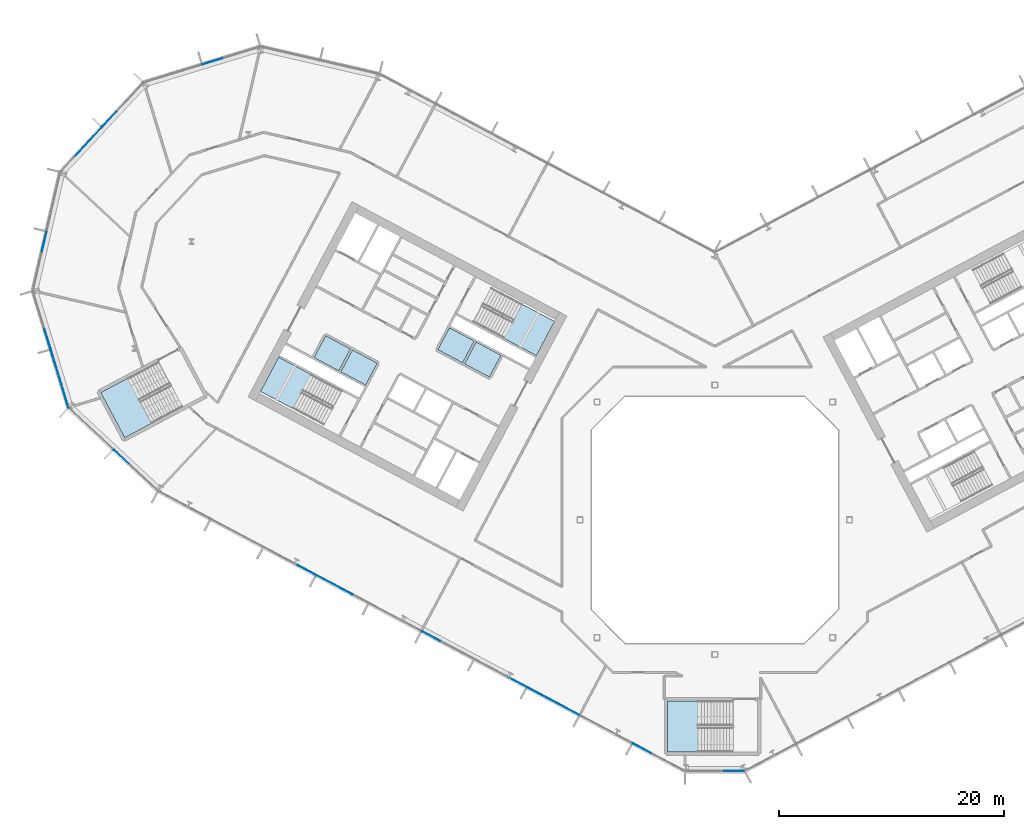
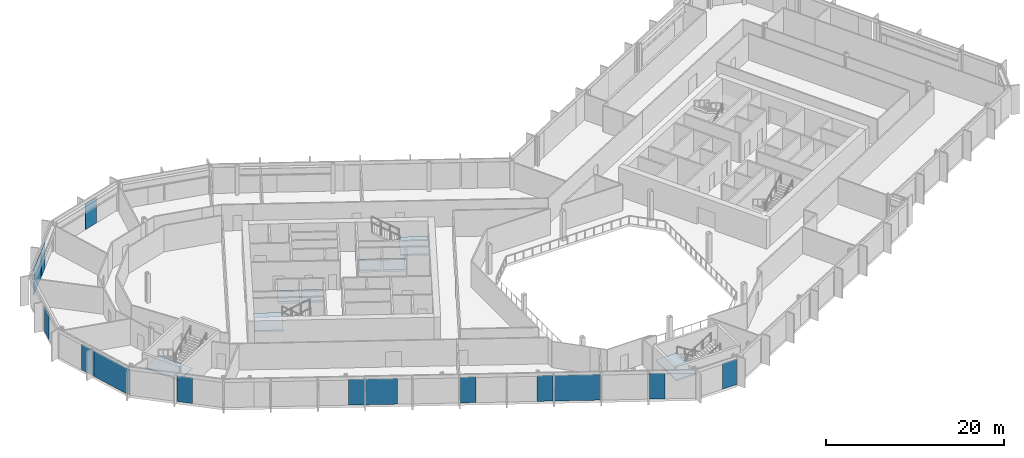
# One storey, part 11 of 28: 14 plates, 8 slabs, 11 elements without a shape of their own.
"""IFC4 building model written with IfcOpenShell, lengths in metres."""

from ifc_helpers import new_model, si_unit, direction, frame, origin, origin_2d, place, context, subcontext, project, spatial, polyline, rectangle, outline, extrude, material, layer, layer_set, type_object, element, aggregate, save


model = new_model("IFC4")

# Units and contexts
model_context = context("Model", 3, precision=1e-05, world=origin(), true_north=direction((0.0, 1.0)))
body_context = subcontext(model_context, "Body", "Model", "MODEL_VIEW")
ifc_project = project(units=[si_unit("LENGTHUNIT", "METRE"), si_unit("AREAUNIT", "SQUARE_METRE"), si_unit("VOLUMEUNIT", "CUBIC_METRE"), si_unit("PLANEANGLEUNIT", "RADIAN"), si_unit("MASSUNIT", "GRAM", prefix="KILO")], contexts=[model_context])

# Site, building, storey
site_placement = place(None, origin())
site = spatial("IfcSite", under=ifc_project, at=site_placement, CompositionType="ELEMENT")
building_placement = place(site_placement, origin())
building = spatial("IfcBuilding", under=site, at=building_placement, Name="Cormorant Relay Tower", CompositionType="ELEMENT")
storey_placement = place(building_placement, frame((0.0, 0.0, 174.199951171875)))
storey = spatial("IfcBuildingStorey", under=building, at=storey_placement, Name="L37", CompositionType="ELEMENT", Elevation=174.199951171875)

# Curtain wall, plate
ifc_material_1 = material(Name="Aluminium 6063-T6 anodised bronze", Category="aluminium")
ifc_layer_1 = layer(ifc_material_1, 0.199951171875)
ifc_layer_set_1 = layer_set([ifc_layer_1], Name="CW1 unitised bronze curtain wall with vertical fins")
curtain_wall_type = type_object("IfcCurtainWallType", Name="CW1 unitised bronze curtain wall with vertical fins", PredefinedType="NOTDEFINED", material=ifc_layer_set_1)
curtain_wall_1_placement = place(storey_placement, origin())
curtain_wall_1 = element("IfcCurtainWall", 1, at=curtain_wall_1_placement, inside=storey, type_object=curtain_wall_type, Name="CW1 curtain wall 1", PredefinedType="NOTDEFINED")
ifc_material_2 = material(Name="Tinted laminated glass", Category="glass")
ifc_layer_2 = layer(ifc_material_2, 0.0400390625)
ifc_layer_set_2 = layer_set([ifc_layer_2], Name="CW1 tinted vision panel 1800 module")
plate_type_1 = type_object("IfcPlateType", Name="CW1 tinted vision panel 1800 module", PredefinedType="CURTAIN_PANEL", material=ifc_layer_set_2)
plate_1_placement = place(storey_placement, frame((1.748779296875, -22.3955078125, 0.0), z_axis=(0.0, 0.0, 1.0), x_axis=(1.0, 0.0, 0.0)))
plate_1 = element("IfcPlate", 2, at=plate_1_placement, type_object=plate_type_1, Name="CW1 panel V01", PredefinedType="CURTAIN_PANEL", context=body_context, shape_type="SweptSolid", body=[
    extrude(rectangle(XDim=1.800048828125, YDim=0.0400390625, at=origin_2d()), origin(), (0.0, 0.0, 1.0), 3.550048828125),
])
aggregate(curtain_wall_1, [plate_1])

curtain_wall_2_placement = place(storey_placement, origin())
curtain_wall_2 = element("IfcCurtainWall", 3, at=curtain_wall_2_placement, inside=storey, type_object=curtain_wall_type, Name="CW1 curtain wall 11", PredefinedType="NOTDEFINED")
plate_2_placement = place(storey_placement, frame((-44.73681640625, 40.82861328125, 0.0), z_axis=(0.0, 0.0, 1.0), x_axis=(-0.956304755963, -0.292371704723, 0.0)))
plate_2 = element("IfcPlate", 4, at=plate_2_placement, type_object=plate_type_1, Name="CW1 panel V01", PredefinedType="CURTAIN_PANEL", context=body_context, shape_type="SweptSolid", body=[
    extrude(rectangle(XDim=1.800048828125, YDim=0.0400390625, at=origin_2d()), origin(), (0.0, 0.0, 1.0), 3.550048828125),
])
aggregate(curtain_wall_2, [plate_2])

curtain_wall_3_placement = place(storey_placement, origin())
curtain_wall_3 = element("IfcCurtainWall", 5, at=curtain_wall_3_placement, inside=storey, type_object=curtain_wall_type, Name="CW1 curtain wall 12", PredefinedType="NOTDEFINED")
plate_3_placement = place(storey_placement, frame((-53.91748046875, 35.68701171875, 0.0), z_axis=(0.0, 0.0, 1.0), x_axis=(-0.681998360062, -0.731353701619, 0.0)))
plate_3 = element("IfcPlate", 6, at=plate_3_placement, type_object=plate_type_1, Name="CW1 panel V01", PredefinedType="CURTAIN_PANEL", context=body_context, shape_type="SweptSolid", body=[
    extrude(rectangle(XDim=1.800048828125, YDim=0.0400390625, at=origin_2d()), origin(), (0.0, 0.0, 1.0), 3.550048828125),
])

curtain_wall_4_placement = place(storey_placement, origin())
curtain_wall_4 = element("IfcCurtainWall", 7, at=curtain_wall_4_placement, inside=storey, type_object=curtain_wall_type, Name="CW1 curtain wall 13", PredefinedType="NOTDEFINED")
plate_4_placement = place(storey_placement, frame((-59.736083984375, 24.74365234375, 0.0), z_axis=(0.0, 0.0, 1.0), x_axis=(-0.224951054344, -0.974370064785, 0.0)))
plate_4 = element("IfcPlate", 8, at=plate_4_placement, type_object=plate_type_1, Name="CW1 panel V01", PredefinedType="CURTAIN_PANEL", context=body_context, shape_type="SweptSolid", body=[
    extrude(rectangle(XDim=1.800048828125, YDim=0.0400390625, at=origin_2d()), origin(), (0.0, 0.0, 1.0), 3.550048828125),
])
aggregate(curtain_wall_4, [plate_4])

curtain_wall_5_placement = place(storey_placement, origin())
curtain_wall_5 = element("IfcCurtainWall", 9, at=curtain_wall_5_placement, inside=storey, type_object=curtain_wall_type, Name="CW1 curtain wall 14", PredefinedType="NOTDEFINED")
plate_5_placement = place(storey_placement, frame((-59.434814453125, 16.122314453125, 0.0), z_axis=(0.0, 0.0, 1.0), x_axis=(0.292371704723, -0.956304755963, 0.0)))
plate_5 = element("IfcPlate", 10, at=plate_5_placement, type_object=plate_type_1, Name="CW1 panel V01", PredefinedType="CURTAIN_PANEL", context=body_context, shape_type="SweptSolid", body=[
    extrude(rectangle(XDim=1.800048828125, YDim=0.0400390625, at=origin_2d()), origin(), (0.0, 0.0, 1.0), 3.550048828125),
])

curtain_wall_6_placement = place(storey_placement, origin())
curtain_wall_6 = element("IfcCurtainWall", 11, at=curtain_wall_6_placement, inside=storey, type_object=curtain_wall_type, Name="CW1 curtain wall 15", PredefinedType="NOTDEFINED")
plate_6_placement = place(storey_placement, frame((-52.8671875, 5.611572265625, 0.0), z_axis=(0.0, 0.0, 1.0), x_axis=(0.731353701619, -0.681998360062, 0.0)))
plate_6 = element("IfcPlate", 12, at=plate_6_placement, type_object=plate_type_1, Name="CW1 panel V01", PredefinedType="CURTAIN_PANEL", context=body_context, shape_type="SweptSolid", body=[
    extrude(rectangle(XDim=1.800048828125, YDim=0.0400390625, at=origin_2d()), origin(), (0.0, 0.0, 1.0), 3.550048828125),
])
aggregate(curtain_wall_6, [plate_6])

# Curtain wall, plates
curtain_wall_7_placement = place(storey_placement, origin())
curtain_wall_7 = element("IfcCurtainWall", 13, at=curtain_wall_7_placement, inside=storey, type_object=curtain_wall_type, Name="CW1 curtain wall 16", PredefinedType="NOTDEFINED")
plate_7_placement = place(storey_placement, frame((-36.37890625, -4.463623046875, 0.0), z_axis=(0.0, 0.0, 1.0), x_axis=(0.882947592859, -0.469471562786, 0.0)))
plate_7 = element("IfcPlate", 14, at=plate_7_placement, type_object=plate_type_1, Name="CW1 panel V03", PredefinedType="CURTAIN_PANEL", context=body_context, shape_type="SweptSolid", body=[
    extrude(rectangle(XDim=1.800048828125, YDim=0.0400390625, at=origin_2d()), origin(), (0.0, 0.0, 1.0), 3.550048828125),
])
plate_8_placement = place(storey_placement, frame((-25.268798828125, -10.37109375, 0.0), z_axis=(0.0, 0.0, 1.0), x_axis=(0.882947592859, -0.469471562786, 0.0)))
plate_8 = element("IfcPlate", 15, at=plate_8_placement, type_object=plate_type_1, Name="CW1 panel V06", PredefinedType="CURTAIN_PANEL", context=body_context, shape_type="SweptSolid", body=[
    extrude(rectangle(XDim=1.800048828125, YDim=0.0400390625, at=origin_2d()), origin(), (0.0, 0.0, 1.0), 3.550048828125),
])
plate_9_placement = place(storey_placement, frame((-17.601806640625, -14.447509765625, 0.0), z_axis=(0.0, 0.0, 1.0), x_axis=(0.882947592859, -0.469471562786, 0.0)))
plate_9 = element("IfcPlate", 16, at=plate_9_placement, type_object=plate_type_1, Name="CW1 panel V08", PredefinedType="CURTAIN_PANEL", context=body_context, shape_type="SweptSolid", body=[
    extrude(rectangle(XDim=1.800048828125, YDim=0.0400390625, at=origin_2d()), origin(), (0.0, 0.0, 1.0), 3.550048828125),
])
plate_10_placement = place(storey_placement, frame((-6.49169921875, -20.35498046875, 0.0), z_axis=(0.0, 0.0, 1.0), x_axis=(0.882947592859, -0.469471562786, 0.0)))
plate_10 = element("IfcPlate", 17, at=plate_10_placement, type_object=plate_type_1, Name="CW1 panel V11", PredefinedType="CURTAIN_PANEL", context=body_context, shape_type="SweptSolid", body=[
    extrude(rectangle(XDim=1.800048828125, YDim=0.0400390625, at=origin_2d()), origin(), (0.0, 0.0, 1.0), 3.550048828125),
])

# Plate
ifc_material_3 = material(Name="Tinted laminated glass", Category="glass")
ifc_layer_3 = layer(ifc_material_3, 0.0400390625)
ifc_layer_set_3 = layer_set([ifc_layer_3], Name="CW1 tinted vision panel 3600 module")
plate_type_2 = type_object("IfcPlateType", Name="CW1 tinted vision panel 3600 module", PredefinedType="CURTAIN_PANEL", material=ifc_layer_set_3)
plate_11_placement = place(storey_placement, frame((-55.861083984375, 33.6025390625, 0.0), z_axis=(0.0, 0.0, 1.0), x_axis=(-0.681998360062, -0.731353701619, 0.0)))
plate_11 = element("IfcPlate", 18, at=plate_11_placement, type_object=plate_type_2, Name="CW1 panel V02", PredefinedType="CURTAIN_PANEL", context=body_context, shape_type="SweptSolid", body=[
    extrude(rectangle(XDim=3.60009765625, YDim=0.0400390625, at=origin_2d()), origin(), (0.0, 0.0, 1.0), 3.550048828125),
])

aggregate(curtain_wall_3, [plate_3, plate_11])

plate_12_placement = place(storey_placement, frame((-33.862548828125, -5.801513671875, 0.0), z_axis=(0.0, 0.0, 1.0), x_axis=(0.882947592859, -0.469471562786, 0.0)))
plate_12 = element("IfcPlate", 19, at=plate_12_placement, type_object=plate_type_2, Name="CW1 panel V04", PredefinedType="CURTAIN_PANEL", context=body_context, shape_type="SweptSolid", body=[
    extrude(rectangle(XDim=3.60009765625, YDim=0.0400390625, at=origin_2d()), origin(), (0.0, 0.0, 1.0), 3.550048828125),
])

ifc_material_4 = material(Name="Tinted laminated glass", Category="glass")
ifc_layer_4 = layer(ifc_material_4, 0.0400390625)
ifc_layer_set_4 = layer_set([ifc_layer_4], Name="CW1 tinted vision panel 5400 module")
plate_type_3 = type_object("IfcPlateType", Name="CW1 tinted vision panel 5400 module", PredefinedType="CURTAIN_PANEL", material=ifc_layer_set_4)
plate_13_placement = place(storey_placement, frame((-58.344482421875, 12.55517578125, 0.0), z_axis=(0.0, 0.0, 1.0), x_axis=(0.292371704723, -0.956304755963, 0.0)))
plate_13 = element("IfcPlate", 20, at=plate_13_placement, type_object=plate_type_3, Name="CW1 panel V02", PredefinedType="CURTAIN_PANEL", context=body_context, shape_type="SweptSolid", body=[
    extrude(rectangle(XDim=5.360107421875, YDim=0.0400390625, at=origin_2d()), origin(), (0.0, 0.0, 1.0), 3.550048828125),
])

aggregate(curtain_wall_5, [plate_5, plate_13])

plate_14_placement = place(storey_placement, frame((-14.393798828125, -16.1533203125, 0.0), z_axis=(0.0, 0.0, 1.0), x_axis=(0.882947592859, -0.469471562786, 0.0)))
plate_14 = element("IfcPlate", 21, at=plate_14_placement, type_object=plate_type_3, Name="CW1 panel V09", PredefinedType="CURTAIN_PANEL", context=body_context, shape_type="SweptSolid", body=[
    extrude(rectangle(XDim=5.16650390625, YDim=0.0400390625, at=origin_2d()), origin(), (0.0, 0.0, 1.0), 3.550048828125),
])

aggregate(curtain_wall_7, [plate_7, plate_12, plate_8, plate_9, plate_14, plate_10])

# Stair, slab
ifc_material_5 = material(Name="Concrete 40 MPa", Category="concrete")
stair_type_1 = type_object("IfcStairType", Name="Exit stair 1500", PredefinedType="HALF_TURN_STAIR", material=ifc_material_5)
stair_1_placement = place(storey_placement, origin())
stair_1 = element("IfcStair", 22, at=stair_1_placement, inside=storey, type_object=stair_type_1, Name="L37 Stair", PredefinedType="HALF_TURN_STAIR")
ifc_material_6 = material(Name="Concrete 40 MPa", Category="concrete")
ifc_layer_5 = layer(ifc_material_6, 0.199951171875)
ifc_layer_set_5 = layer_set([ifc_layer_5], Name="Exit stair landing 200")
slab_type_1 = type_object("IfcSlabType", Name="Exit stair landing 200", PredefinedType="LANDING", material=ifc_layer_set_5)
slab_1_placement = place(storey_placement, frame((0.0, 0.0, 1.800048828125)))
slab_1 = element("IfcSlab", 23, at=slab_1_placement, type_object=slab_type_1, Name="A1 landing 1", PredefinedType="LANDING", context=body_context, shape_type="SweptSolid", body=[
    extrude(outline(polyline([(-18.7822265625, 16.1591796875), (-15.89501953125, 14.6240234375), (-14.275390625, 17.670166015625), (-17.16259765625, 19.205322265625), (-18.7822265625, 16.1591796875)])), origin(), (0.0, 0.0, 1.0), 0.199951171875),
])
aggregate(stair_1, [slab_1])

stair_2_placement = place(storey_placement, origin())
stair_2 = element("IfcStair", 24, at=stair_2_placement, inside=storey, type_object=stair_type_1, Name="L37 Stair", PredefinedType="HALF_TURN_STAIR")
slab_2_placement = place(storey_placement, frame((0.0, 0.0, 1.800048828125)))
slab_2 = element("IfcSlab", 25, at=slab_2_placement, type_object=slab_type_1, Name="A2 landing 1", PredefinedType="LANDING", context=body_context, shape_type="SweptSolid", body=[
    extrude(outline(polyline([(-35.96044921875, 12.947998046875), (-38.84765625, 14.483154296875), (-40.467529296875, 11.43701171875), (-37.580322265625, 9.90185546875), (-35.96044921875, 12.947998046875)])), origin(), (0.0, 0.0, 1.0), 0.199951171875),
])
aggregate(stair_2, [slab_2])

ifc_material_7 = material(Name="Concrete 40 MPa", Category="concrete")
stair_type_2 = type_object("IfcStairType", Name="Remote exit stair 2200", PredefinedType="HALF_TURN_STAIR", material=ifc_material_7)
stair_3_placement = place(storey_placement, origin())
stair_3 = element("IfcStair", 26, at=stair_3_placement, inside=storey, type_object=stair_type_2, Name="L37 Stair", PredefinedType="HALF_TURN_STAIR")
slab_3_placement = place(storey_placement, frame((0.0, 0.0, 1.800048828125)))
slab_3 = element("IfcSlab", 27, at=slab_3_placement, type_object=slab_type_1, Name="RK1 landing 1", PredefinedType="LANDING", context=body_context, shape_type="SweptSolid", body=[
    extrude(outline(polyline([(-1.47998046875, -16.125), (-4.199951171875, -16.125), (-4.199951171875, -20.675048828125), (-1.47998046875, -20.675048828125), (-1.47998046875, -16.125)])), origin(), (0.0, 0.0, 1.0), 0.199951171875),
])
aggregate(stair_3, [slab_3])

stair_4_placement = place(storey_placement, origin())
stair_4 = element("IfcStair", 28, at=stair_4_placement, inside=storey, type_object=stair_type_2, Name="L37 Stair", PredefinedType="HALF_TURN_STAIR")
slab_4_placement = place(storey_placement, frame((0.0, 0.0, 1.800048828125)))
slab_4 = element("IfcSlab", 29, at=slab_4_placement, type_object=slab_type_1, Name="RP1 landing 1", PredefinedType="LANDING", context=body_context, shape_type="SweptSolid", body=[
    extrude(outline(polyline([(-52.29833984375, 12.607666015625), (-54.699951171875, 11.330810546875), (-52.563720703125, 7.3134765625), (-50.162109375, 8.59033203125), (-52.29833984375, 12.607666015625)])), origin(), (0.0, 0.0, 1.0), 0.199951171875),
])
aggregate(stair_4, [slab_4])

# Slabs
ifc_material_8 = material(Name="Concrete 50 MPa", Category="concrete")
ifc_layer_6 = layer(ifc_material_8, 0.300048828125)
ifc_layer_set_6 = layer_set([ifc_layer_6], Name="Lift pit slab 300")
slab_type_2 = type_object("IfcSlabType", Name="Lift pit slab 300", PredefinedType="BASESLAB", material=ifc_layer_set_6)
slab_5_placement = place(storey_placement, frame((0.0, 0.0, 2.199951171875)))
element("IfcSlab", 30, at=slab_5_placement, inside=storey, type_object=slab_type_2, Name="Lift MR1 pit slab", PredefinedType="BASESLAB", context=body_context, shape_type="SweptSolid", body=[
    extrude(outline(polyline([(-33.310791015625, 13.181396484375), (-32.278076171875, 15.123779296875), (-30.070556640625, 13.9501953125), (-31.103515625, 12.0078125), (-33.310791015625, 13.181396484375)])), origin(), (0.0, 0.0, 1.0), 0.300048828125),
])
slab_6_placement = place(storey_placement, frame((0.0, 0.0, 2.199951171875)))
element("IfcSlab", 31, at=slab_6_placement, inside=storey, type_object=slab_type_2, Name="Lift MR2 pit slab", PredefinedType="BASESLAB", context=body_context, shape_type="SweptSolid", body=[
    extrude(outline(polyline([(-34.661865234375, 16.3916015625), (-32.45458984375, 15.2177734375), (-33.4873046875, 13.275390625), (-35.69482421875, 14.448974609375), (-34.661865234375, 16.3916015625)])), origin(), (0.0, 0.0, 1.0), 0.300048828125),
])
slab_7_placement = place(storey_placement, frame((0.0, 0.0, 2.199951171875)))
element("IfcSlab", 32, at=slab_7_placement, inside=storey, type_object=slab_type_2, Name="Lift MR3 pit slab", PredefinedType="BASESLAB", context=body_context, shape_type="SweptSolid", body=[
    extrude(outline(polyline([(-22.2880859375, 13.889404296875), (-21.25537109375, 15.831787109375), (-19.048095703125, 14.658203125), (-20.080810546875, 12.7158203125), (-22.2880859375, 13.889404296875)])), origin(), (0.0, 0.0, 1.0), 0.300048828125),
])
slab_8_placement = place(storey_placement, frame((0.0, 0.0, 2.199951171875)))
element("IfcSlab", 33, at=slab_8_placement, inside=storey, type_object=slab_type_2, Name="Lift MR4 pit slab", PredefinedType="BASESLAB", context=body_context, shape_type="SweptSolid", body=[
    extrude(outline(polyline([(-22.46484375, 13.9833984375), (-24.672119140625, 15.156982421875), (-23.639404296875, 17.099609375), (-21.431884765625, 15.92578125), (-22.46484375, 13.9833984375)])), origin(), (0.0, 0.0, 1.0), 0.300048828125),
])

save(model, "model.ifc")
